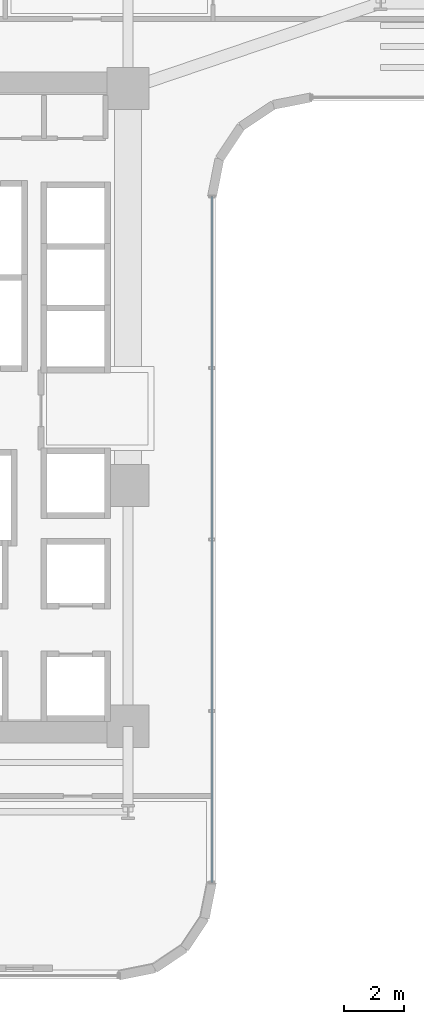
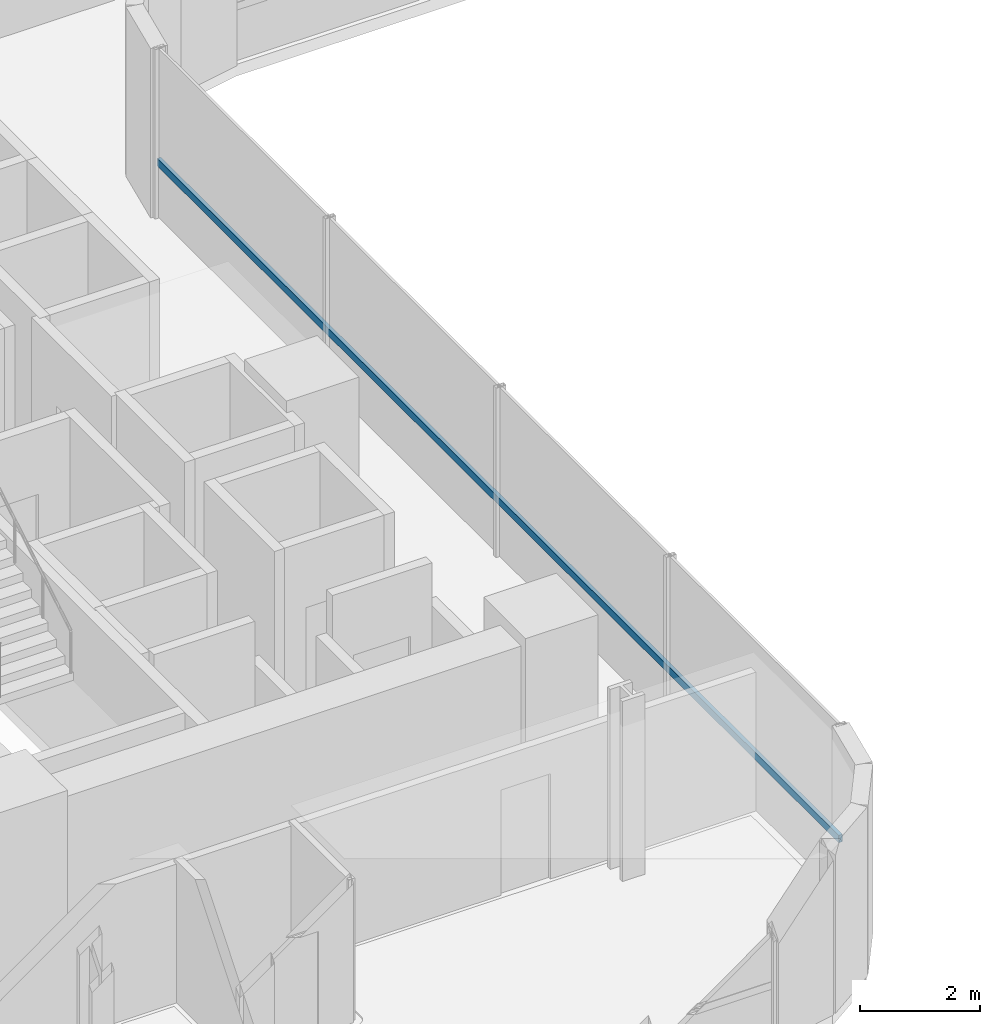
# One storey, part 7 of 40: 1 member, 1 element without a shape of its own.
"""IFC4 building model written with IfcOpenShell, lengths in metres."""

from ifc_helpers import new_model, si_unit, direction, frame, origin, origin_2d, place, context, subcontext, project, spatial, hollow_rectangle, extrude, source, transform, mapped, material, material_profile, profile_set, type_object, element, aggregate, save


model = new_model("IFC4")

# Units and contexts
model_context = context("Model", 3, precision=1e-05, world=origin(), true_north=direction((0.0, 1.0)))
body_context = subcontext(model_context, "Body", "Model", "MODEL_VIEW")
ifc_project = project(units=[si_unit("LENGTHUNIT", "METRE"), si_unit("AREAUNIT", "SQUARE_METRE"), si_unit("VOLUMEUNIT", "CUBIC_METRE"), si_unit("PLANEANGLEUNIT", "RADIAN"), si_unit("MASSUNIT", "GRAM", prefix="KILO")], contexts=[model_context])

# Site, building, storey
site_placement = place(None, origin())
site = spatial("IfcSite", under=ifc_project, at=site_placement, CompositionType="ELEMENT")
building_placement = place(site_placement, origin())
building = spatial("IfcBuilding", under=site, at=building_placement, Name="Valdorenza Pilgrim Sanctuary Tower", CompositionType="ELEMENT")
storey_placement = place(building_placement, frame((0.0, 0.0, 40.800048828125)))
storey = spatial("IfcBuildingStorey", under=building, at=storey_placement, Name="L09", CompositionType="ELEMENT", Elevation=40.800048828125)

# Curtain wall, member
ifc_material_1 = material(Name="Curtain-wall IGU glazing", Category="glass")
curtain_wall_type = type_object("IfcCurtainWallType", Name="CW-SYS-02", PredefinedType="NOTDEFINED", material=ifc_material_1)
curtain_wall_placement = place(storey_placement, origin())
curtain_wall = element("IfcCurtainWall", 1, at=curtain_wall_placement, inside=storey, type_object=curtain_wall_type, Name="L09 Curtain Wall CW-L09-1-41", PredefinedType="NOTDEFINED")
ifc_material_2 = material(Name="Anodised aluminium AW-6060", Category="aluminium")
ifc_material_profile = material_profile(ifc_material_2, hollow_rectangle(XDim=0.074951171875, YDim=0.14990234375, WallThickness=0.00390625, at=origin_2d()), Name="ALU-T 150x75x4")
ifc_profile_set = profile_set([ifc_material_profile], Name="Anodised aluminium AW-6060")
member_type = type_object("IfcMemberType", Name="CW-TRN-02", PredefinedType="USERDEFINED", material=ifc_profile_set)
shared_shape = source(origin(), body_context, "Body", "SweptSolid", [
    extrude(hollow_rectangle(XDim=0.074951171875, YDim=0.14990234375, WallThickness=0.00390625, at=origin_2d()), origin(), (0.0, 0.0, 1.0), 22.800048828125),
])
member_placement = place(storey_placement, frame((-9.610107421875, 7.0107421875, 1.119873046875), z_axis=(0.0, -1.0, 0.0), x_axis=(1.0, 0.0, 0.0)))
member = element("IfcMember", 2, at=member_placement, type_object=member_type, Name="CW-L09-1-41 Transom 1", ObjectType="TRANSOM", PredefinedType="USERDEFINED", context=body_context, shape_type="MappedRepresentation", body=[
    mapped(shared_shape, transform((0.0, 0.0, 0.0), x_axis=(1.0, 0.0, 0.0), y_axis=(0.0, 1.0, 0.0), z_axis=(0.0, 0.0, 1.0), scale=1.0)),
])
aggregate(curtain_wall, [member])

save(model, "model.ifc")
